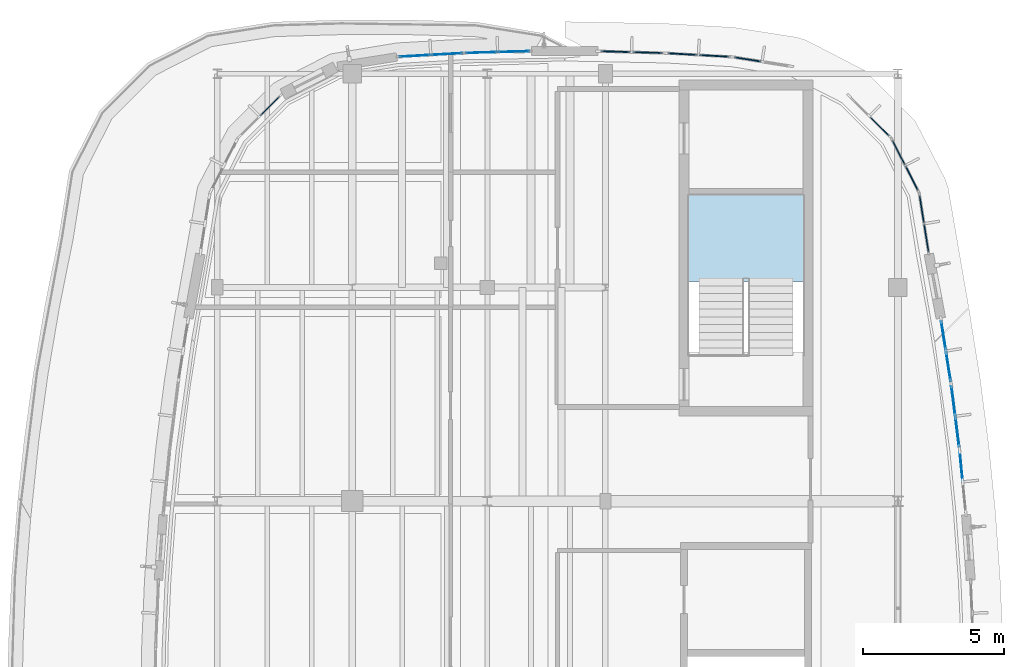
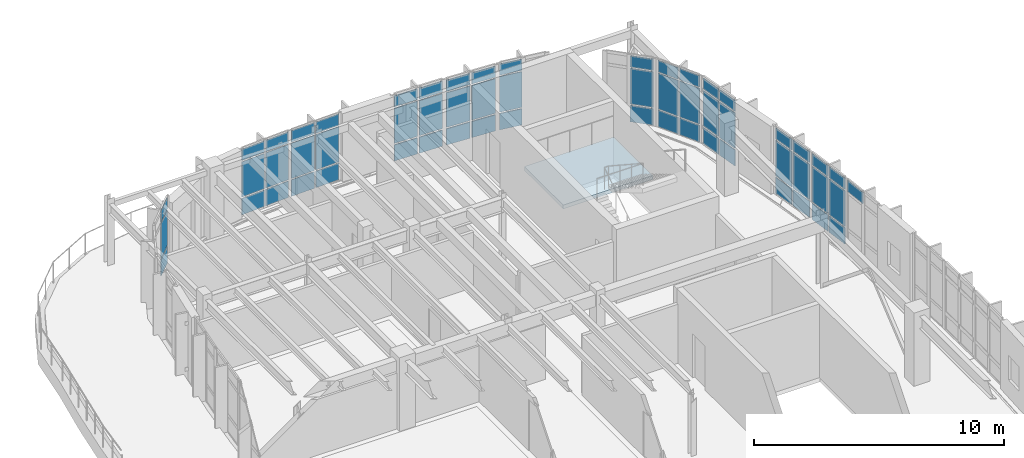
# One storey, part 21 of 30: 58 plates, 1 slab, 13 elements without a shape of their own.
"""IFC4 building model written with IfcOpenShell, lengths in metres."""

from ifc_helpers import new_model, si_unit, direction, frame, origin, origin_2d, place, context, subcontext, project, spatial, polyline, rectangle, outline, extrude, material, layer, layer_set, type_object, element, aggregate, save


model = new_model("IFC4")

# Units and contexts
model_context = context("Model", 3, precision=1e-05, world=origin(), true_north=direction((0.0, 1.0)))
body_context = subcontext(model_context, "Body", "Model", "MODEL_VIEW")
ifc_project = project(units=[si_unit("LENGTHUNIT", "METRE"), si_unit("AREAUNIT", "SQUARE_METRE"), si_unit("VOLUMEUNIT", "CUBIC_METRE"), si_unit("PLANEANGLEUNIT", "RADIAN"), si_unit("MASSUNIT", "GRAM", prefix="KILO")], contexts=[model_context])

# Site, building, storey
site_placement = place(None, origin())
site = spatial("IfcSite", under=ifc_project, at=site_placement, CompositionType="ELEMENT")
building_placement = place(site_placement, origin())
building = spatial("IfcBuilding", under=site, at=building_placement, Name="Corveleigh Park Community Centre", CompositionType="ELEMENT")
storey_placement = place(building_placement, frame((0.0, 0.0, 12.60009765625)))
storey = spatial("IfcBuildingStorey", under=building, at=storey_placement, Name="L03", CompositionType="ELEMENT", Elevation=12.60009765625)

# Curtain wall, plates
ifc_material_1 = material(Name="Anodised aluminium 6063-T6", Category="aluminium")
curtain_wall_type = type_object("IfcCurtainWallType", Name="CW-SYS-V4-L03", PredefinedType="NOTDEFINED", material=ifc_material_1)
curtain_wall_1_placement = place(storey_placement, origin())
curtain_wall_1 = element("IfcCurtainWall", 1, at=curtain_wall_1_placement, inside=storey, type_object=curtain_wall_type, Name="V4 L03 Curtain Wall 421", PredefinedType="NOTDEFINED")
ifc_material_2 = material(Name="Low-E double glazing", Category="glass")
ifc_layer_1 = layer(ifc_material_2, 0.02392578125, Name="Low-E double glazing", Category="glass")
ifc_layer_set_1 = layer_set([ifc_layer_1], Name="Low-E double glazing")
plate_type_1 = type_object("IfcPlateType", Name="CWP-GLZ-24", PredefinedType="CURTAIN_PANEL", material=ifc_layer_set_1)
plate_1_placement = place(storey_placement, frame((153.5927734375, 104.952392578125, 0.059814453125), z_axis=(0.0, 0.0, 1.0), x_axis=(0.999586199744, 0.028765070498, 0.0)))
plate_1 = element("IfcPlate", 2, at=plate_1_placement, type_object=plate_type_1, Name="CW09 panel 1.1", PredefinedType="CURTAIN_PANEL", context=body_context, shape_type="SweptSolid", body=[
    extrude(rectangle(XDim=1.092041015625, YDim=0.02392578125, at=origin_2d()), origin(), (0.0, 0.0, 1.0), 0.81005859375),
])
plate_2_placement = place(storey_placement, frame((153.5927734375, 104.952392578125, 0.929931640625), z_axis=(0.0, 0.0, 1.0), x_axis=(0.999586199744, 0.028765070498, 0.0)))
plate_2 = element("IfcPlate", 3, at=plate_2_placement, type_object=plate_type_1, Name="CW09 panel 1.2", PredefinedType="CURTAIN_PANEL", context=body_context, shape_type="SweptSolid", body=[
    extrude(rectangle(XDim=1.092041015625, YDim=0.02392578125, at=origin_2d()), origin(), (0.0, 0.0, 1.0), 1.72705078125),
])
plate_3_placement = place(storey_placement, frame((153.5927734375, 104.952392578125, 2.716796875), z_axis=(0.0, 0.0, 1.0), x_axis=(0.999586199744, 0.028765070498, 0.0)))
plate_3 = element("IfcPlate", 4, at=plate_3_placement, type_object=plate_type_1, Name="CW09 panel 1.3", PredefinedType="CURTAIN_PANEL", context=body_context, shape_type="SweptSolid", body=[
    extrude(rectangle(XDim=1.092041015625, YDim=0.02392578125, at=origin_2d()), origin(), (0.0, 0.0, 1.0), 0.56005859375),
])
plate_4_placement = place(storey_placement, frame((154.744140625, 104.985595703125, 0.059814453125), z_axis=(0.0, 0.0, 1.0), x_axis=(0.999586199744, 0.028765070498, 0.0)))
plate_4 = element("IfcPlate", 5, at=plate_4_placement, type_object=plate_type_1, Name="CW09 panel 2.1", PredefinedType="CURTAIN_PANEL", context=body_context, shape_type="SweptSolid", body=[
    extrude(rectangle(XDim=1.092041015625, YDim=0.02392578125, at=origin_2d()), origin(), (0.0, 0.0, 1.0), 0.81005859375),
])
plate_5_placement = place(storey_placement, frame((154.744140625, 104.985595703125, 0.929931640625), z_axis=(0.0, 0.0, 1.0), x_axis=(0.999586199744, 0.028765070498, 0.0)))
plate_5 = element("IfcPlate", 6, at=plate_5_placement, type_object=plate_type_1, Name="CW09 panel 2.2", PredefinedType="CURTAIN_PANEL", context=body_context, shape_type="SweptSolid", body=[
    extrude(rectangle(XDim=1.092041015625, YDim=0.02392578125, at=origin_2d()), origin(), (0.0, 0.0, 1.0), 1.72705078125),
])
plate_6_placement = place(storey_placement, frame((154.744140625, 104.985595703125, 2.716796875), z_axis=(0.0, 0.0, 1.0), x_axis=(0.999586199744, 0.028765070498, 0.0)))
plate_6 = element("IfcPlate", 7, at=plate_6_placement, type_object=plate_type_1, Name="CW09 panel 2.3", PredefinedType="CURTAIN_PANEL", context=body_context, shape_type="SweptSolid", body=[
    extrude(rectangle(XDim=1.092041015625, YDim=0.02392578125, at=origin_2d()), origin(), (0.0, 0.0, 1.0), 0.56005859375),
])
aggregate(curtain_wall_1, [plate_1, plate_2, plate_3, plate_4, plate_5, plate_6])

curtain_wall_2_placement = place(storey_placement, origin())
curtain_wall_2 = element("IfcCurtainWall", 8, at=curtain_wall_2_placement, inside=storey, type_object=curtain_wall_type, Name="V4 L03 Curtain Wall 422", PredefinedType="NOTDEFINED")
plate_7_placement = place(storey_placement, frame((151.220458984375, 104.835205078125, 0.06494140625), z_axis=(0.0, 0.0, 1.0), x_axis=(0.998406359706, 0.056433508651, 0.0)))
plate_7 = element("IfcPlate", 9, at=plate_7_placement, type_object=plate_type_1, Name="CW09 panel 1.1", PredefinedType="CURTAIN_PANEL", context=body_context, shape_type="SweptSolid", body=[
    extrude(rectangle(XDim=1.080810546875, YDim=0.02392578125, at=origin_2d()), origin(), (0.0, 0.0, 1.0), 0.802490234375),
])
plate_8_placement = place(storey_placement, frame((151.220458984375, 104.835205078125, 0.9326171875), z_axis=(0.0, 0.0, 1.0), x_axis=(0.998406359706, 0.056433508651, 0.0)))
plate_8 = element("IfcPlate", 10, at=plate_8_placement, type_object=plate_type_1, Name="CW09 panel 1.2", PredefinedType="CURTAIN_PANEL", context=body_context, shape_type="SweptSolid", body=[
    extrude(rectangle(XDim=1.080810546875, YDim=0.02392578125, at=origin_2d()), origin(), (0.0, 0.0, 1.0), 1.721923828125),
])
plate_9_placement = place(storey_placement, frame((151.220458984375, 104.835205078125, 2.71923828125), z_axis=(0.0, 0.0, 1.0), x_axis=(0.998406359706, 0.056433508651, 0.0)))
plate_9 = element("IfcPlate", 11, at=plate_9_placement, type_object=plate_type_1, Name="CW09 panel 1.3", PredefinedType="CURTAIN_PANEL", context=body_context, shape_type="SweptSolid", body=[
    extrude(rectangle(XDim=1.080810546875, YDim=0.02392578125, at=origin_2d()), origin(), (0.0, 0.0, 1.0), 0.552490234375),
])
plate_10_placement = place(storey_placement, frame((152.364501953125, 104.89990234375, 0.06494140625), z_axis=(0.0, 0.0, 1.0), x_axis=(0.998406359706, 0.056433508651, 0.0)))
plate_10 = element("IfcPlate", 12, at=plate_10_placement, type_object=plate_type_1, Name="CW09 panel 2.1", PredefinedType="CURTAIN_PANEL", context=body_context, shape_type="SweptSolid", body=[
    extrude(rectangle(XDim=1.080810546875, YDim=0.02392578125, at=origin_2d()), origin(), (0.0, 0.0, 1.0), 0.802490234375),
])
plate_11_placement = place(storey_placement, frame((152.364501953125, 104.89990234375, 0.9326171875), z_axis=(0.0, 0.0, 1.0), x_axis=(0.998406359706, 0.056433508651, 0.0)))
plate_11 = element("IfcPlate", 13, at=plate_11_placement, type_object=plate_type_1, Name="CW09 panel 2.2", PredefinedType="CURTAIN_PANEL", context=body_context, shape_type="SweptSolid", body=[
    extrude(rectangle(XDim=1.080810546875, YDim=0.02392578125, at=origin_2d()), origin(), (0.0, 0.0, 1.0), 1.721923828125),
])
plate_12_placement = place(storey_placement, frame((152.364501953125, 104.89990234375, 2.71923828125), z_axis=(0.0, 0.0, 1.0), x_axis=(0.998406359706, 0.056433508651, 0.0)))
plate_12 = element("IfcPlate", 14, at=plate_12_placement, type_object=plate_type_1, Name="CW09 panel 2.3", PredefinedType="CURTAIN_PANEL", context=body_context, shape_type="SweptSolid", body=[
    extrude(rectangle(XDim=1.080810546875, YDim=0.02392578125, at=origin_2d()), origin(), (0.0, 0.0, 1.0), 0.552490234375),
])
aggregate(curtain_wall_2, [plate_7, plate_8, plate_9, plate_10, plate_11, plate_12])

# Curtain wall, plate
curtain_wall_3_placement = place(storey_placement, origin())
curtain_wall_3 = element("IfcCurtainWall", 15, at=curtain_wall_3_placement, inside=storey, type_object=curtain_wall_type, Name="V4 L03 Curtain Wall 412", PredefinedType="NOTDEFINED")
ifc_layer_2 = layer(ifc_material_2, 0.028076171875, Name="Low-E double glazing", Category="glass")
ifc_layer_set_2 = layer_set([ifc_layer_2], Name="Low-E double glazing")
plate_type_2 = type_object("IfcPlateType", Name="CWP-GLZ-28", PredefinedType="CURTAIN_PANEL", material=ifc_layer_set_2)
plate_13_placement = place(storey_placement, frame((170.653564453125, 90.24951171875, 2.7392578125), z_axis=(0.0, 0.0, 1.0), x_axis=(0.09929092919, -0.995058446213, 0.0)))
plate_13 = element("IfcPlate", 16, at=plate_13_placement, type_object=plate_type_2, Name="CW09 panel 1.3", PredefinedType="CURTAIN_PANEL", context=body_context, shape_type="SweptSolid", body=[
    extrude(rectangle(XDim=1.05078125, YDim=0.028076171875, at=origin_2d()), origin(), (0.0, 0.0, 1.0), 0.552490234375),
])
aggregate(curtain_wall_3, [plate_13])

# Curtain wall, plates
curtain_wall_4_placement = place(storey_placement, origin())
curtain_wall_4 = element("IfcCurtainWall", 17, at=curtain_wall_4_placement, inside=storey, type_object=curtain_wall_type, Name="V4 L03 Curtain Wall 423", PredefinedType="NOTDEFINED")
plate_14_placement = place(storey_placement, frame((146.07275390625, 103.0498046875, 0.06982421875), z_axis=(0.0, 0.0, 1.0), x_axis=(0.707106781187, 0.707106781187, 0.0)))
plate_14 = element("IfcPlate", 18, at=plate_14_placement, type_object=plate_type_2, Name="CW09 panel 2.1", PredefinedType="CURTAIN_PANEL", context=body_context, shape_type="SweptSolid", body=[
    extrude(rectangle(XDim=0.9521484375, YDim=0.028076171875, at=origin_2d()), origin(), (0.0, 0.0, 1.0), 0.794921875),
])
plate_15_placement = place(storey_placement, frame((146.07275390625, 103.0498046875, 0.93505859375), z_axis=(0.0, 0.0, 1.0), x_axis=(0.707106781187, 0.707106781187, 0.0)))
plate_15 = element("IfcPlate", 19, at=plate_15_placement, type_object=plate_type_2, Name="CW09 panel 2.2", PredefinedType="CURTAIN_PANEL", context=body_context, shape_type="SweptSolid", body=[
    extrude(rectangle(XDim=0.9521484375, YDim=0.028076171875, at=origin_2d()), origin(), (0.0, 0.0, 1.0), 1.717041015625),
])
plate_16_placement = place(storey_placement, frame((146.07275390625, 103.0498046875, 2.721923828125), z_axis=(0.0, 0.0, 1.0), x_axis=(0.707106781187, 0.707106781187, 0.0)))
plate_16 = element("IfcPlate", 20, at=plate_16_placement, type_object=plate_type_2, Name="CW09 panel 2.3", PredefinedType="CURTAIN_PANEL", context=body_context, shape_type="SweptSolid", body=[
    extrude(rectangle(XDim=0.9521484375, YDim=0.028076171875, at=origin_2d()), origin(), (0.0, 0.0, 1.0), 0.544921875),
])
aggregate(curtain_wall_4, [plate_14, plate_15, plate_16])

curtain_wall_5_placement = place(storey_placement, origin())
curtain_wall_5 = element("IfcCurtainWall", 21, at=curtain_wall_5_placement, inside=storey, type_object=curtain_wall_type, Name="V4 L03 Curtain Wall 413", PredefinedType="NOTDEFINED")
ifc_layer_3 = layer(ifc_material_2, 0.031982421875, Name="Low-E double glazing", Category="glass")
ifc_layer_set_3 = layer_set([ifc_layer_3], Name="Low-E double glazing")
plate_type_3 = type_object("IfcPlateType", Name="CWP-GLZ-32", PredefinedType="CURTAIN_PANEL", material=ifc_layer_set_3)
plate_17_placement = place(storey_placement, frame((170.37255859375, 92.575439453125, 0.06982421875), z_axis=(0.0, 0.0, 1.0), x_axis=(0.127261927639, -0.991869145489, 0.0)))
plate_17 = element("IfcPlate", 22, at=plate_17_placement, type_object=plate_type_3, Name="CW09 panel 1.1", PredefinedType="CURTAIN_PANEL", context=body_context, shape_type="SweptSolid", body=[
    extrude(rectangle(XDim=1.04296875, YDim=0.031982421875, at=origin_2d()), origin(), (0.0, 0.0, 1.0), 0.794921875),
])
plate_18_placement = place(storey_placement, frame((170.37255859375, 92.575439453125, 0.93505859375), z_axis=(0.0, 0.0, 1.0), x_axis=(0.127261927639, -0.991869145489, 0.0)))
plate_18 = element("IfcPlate", 23, at=plate_18_placement, type_object=plate_type_3, Name="CW09 panel 1.2", PredefinedType="CURTAIN_PANEL", context=body_context, shape_type="SweptSolid", body=[
    extrude(rectangle(XDim=1.04296875, YDim=0.031982421875, at=origin_2d()), origin(), (0.0, 0.0, 1.0), 1.737060546875),
])
plate_19_placement = place(storey_placement, frame((170.37255859375, 92.575439453125, 2.741943359375), z_axis=(0.0, 0.0, 1.0), x_axis=(0.127261927639, -0.991869145489, 0.0)))
plate_19 = element("IfcPlate", 24, at=plate_19_placement, type_object=plate_type_3, Name="CW09 panel 1.3", PredefinedType="CURTAIN_PANEL", context=body_context, shape_type="SweptSolid", body=[
    extrude(rectangle(XDim=1.04296875, YDim=0.031982421875, at=origin_2d()), origin(), (0.0, 0.0, 1.0), 0.544921875),
])
plate_20_placement = place(storey_placement, frame((170.515380859375, 91.461669921875, 0.06982421875), z_axis=(0.0, 0.0, 1.0), x_axis=(0.127261927639, -0.991869145489, 0.0)))
plate_20 = element("IfcPlate", 25, at=plate_20_placement, type_object=plate_type_3, Name="CW09 panel 2.1", PredefinedType="CURTAIN_PANEL", context=body_context, shape_type="SweptSolid", body=[
    extrude(rectangle(XDim=1.04296875, YDim=0.031982421875, at=origin_2d()), origin(), (0.0, 0.0, 1.0), 0.794921875),
])
plate_21_placement = place(storey_placement, frame((170.515380859375, 91.461669921875, 0.93505859375), z_axis=(0.0, 0.0, 1.0), x_axis=(0.127261927639, -0.991869145489, 0.0)))
plate_21 = element("IfcPlate", 26, at=plate_21_placement, type_object=plate_type_3, Name="CW09 panel 2.2", PredefinedType="CURTAIN_PANEL", context=body_context, shape_type="SweptSolid", body=[
    extrude(rectangle(XDim=1.04296875, YDim=0.031982421875, at=origin_2d()), origin(), (0.0, 0.0, 1.0), 1.737060546875),
])
plate_22_placement = place(storey_placement, frame((170.515380859375, 91.461669921875, 2.741943359375), z_axis=(0.0, 0.0, 1.0), x_axis=(0.127261927639, -0.991869145489, 0.0)))
plate_22 = element("IfcPlate", 27, at=plate_22_placement, type_object=plate_type_3, Name="CW09 panel 2.3", PredefinedType="CURTAIN_PANEL", context=body_context, shape_type="SweptSolid", body=[
    extrude(rectangle(XDim=1.04296875, YDim=0.031982421875, at=origin_2d()), origin(), (0.0, 0.0, 1.0), 0.544921875),
])
aggregate(curtain_wall_5, [plate_17, plate_18, plate_19, plate_20, plate_21, plate_22])

curtain_wall_6_placement = place(storey_placement, origin())
curtain_wall_6 = element("IfcCurtainWall", 28, at=curtain_wall_6_placement, inside=storey, type_object=curtain_wall_type, Name="V4 L03 Curtain Wall 414", PredefinedType="NOTDEFINED")
plate_23_placement = place(storey_placement, frame((170.025146484375, 94.891845703125, 0.074951171875), z_axis=(0.0, 0.0, 1.0), x_axis=(0.156095062857, -0.987742036845, 0.0)))
plate_23 = element("IfcPlate", 29, at=plate_23_placement, type_object=plate_type_3, Name="CW09 panel 1.1", PredefinedType="CURTAIN_PANEL", context=body_context, shape_type="SweptSolid", body=[
    extrude(rectangle(XDim=1.03515625, YDim=0.031982421875, at=origin_2d()), origin(), (0.0, 0.0, 1.0), 0.78759765625),
])
plate_24_placement = place(storey_placement, frame((170.025146484375, 94.891845703125, 0.9375), z_axis=(0.0, 0.0, 1.0), x_axis=(0.156095062857, -0.987742036845, 0.0)))
plate_24 = element("IfcPlate", 30, at=plate_24_placement, type_object=plate_type_3, Name="CW09 panel 1.2", PredefinedType="CURTAIN_PANEL", context=body_context, shape_type="SweptSolid", body=[
    extrude(rectangle(XDim=1.03515625, YDim=0.031982421875, at=origin_2d()), origin(), (0.0, 0.0, 1.0), 1.73193359375),
])
plate_25_placement = place(storey_placement, frame((170.025146484375, 94.891845703125, 2.744384765625), z_axis=(0.0, 0.0, 1.0), x_axis=(0.156095062857, -0.987742036845, 0.0)))
plate_25 = element("IfcPlate", 31, at=plate_25_placement, type_object=plate_type_3, Name="CW09 panel 1.3", PredefinedType="CURTAIN_PANEL", context=body_context, shape_type="SweptSolid", body=[
    extrude(rectangle(XDim=1.03515625, YDim=0.031982421875, at=origin_2d()), origin(), (0.0, 0.0, 1.0), 0.53759765625),
])
plate_26_placement = place(storey_placement, frame((170.199951171875, 93.78515625, 0.074951171875), z_axis=(0.0, 0.0, 1.0), x_axis=(0.156095062857, -0.987742036845, 0.0)))
plate_26 = element("IfcPlate", 32, at=plate_26_placement, type_object=plate_type_3, Name="CW09 panel 2.1", PredefinedType="CURTAIN_PANEL", context=body_context, shape_type="SweptSolid", body=[
    extrude(rectangle(XDim=1.03515625, YDim=0.031982421875, at=origin_2d()), origin(), (0.0, 0.0, 1.0), 0.78759765625),
])
plate_27_placement = place(storey_placement, frame((170.199951171875, 93.78515625, 0.9375), z_axis=(0.0, 0.0, 1.0), x_axis=(0.156095062857, -0.987742036845, 0.0)))
plate_27 = element("IfcPlate", 33, at=plate_27_placement, type_object=plate_type_3, Name="CW09 panel 2.2", PredefinedType="CURTAIN_PANEL", context=body_context, shape_type="SweptSolid", body=[
    extrude(rectangle(XDim=1.03515625, YDim=0.031982421875, at=origin_2d()), origin(), (0.0, 0.0, 1.0), 1.73193359375),
])
plate_28_placement = place(storey_placement, frame((170.199951171875, 93.78515625, 2.744384765625), z_axis=(0.0, 0.0, 1.0), x_axis=(0.156095062857, -0.987742036845, 0.0)))
plate_28 = element("IfcPlate", 34, at=plate_28_placement, type_object=plate_type_3, Name="CW09 panel 2.3", PredefinedType="CURTAIN_PANEL", context=body_context, shape_type="SweptSolid", body=[
    extrude(rectangle(XDim=1.03515625, YDim=0.031982421875, at=origin_2d()), origin(), (0.0, 0.0, 1.0), 0.53759765625),
])
aggregate(curtain_wall_6, [plate_23, plate_24, plate_25, plate_26, plate_27, plate_28])

curtain_wall_7_placement = place(storey_placement, origin())
curtain_wall_7 = element("IfcCurtainWall", 35, at=curtain_wall_7_placement, inside=storey, type_object=curtain_wall_type, Name="V4 L03 Curtain Wall 415", PredefinedType="NOTDEFINED")
ifc_layer_4 = layer(ifc_material_2, 0.035888671875, Name="Low-E double glazing", Category="glass")
ifc_layer_set_4 = layer_set([ifc_layer_4], Name="Low-E double glazing")
plate_type_4 = type_object("IfcPlateType", Name="CWP-GLZ-36", PredefinedType="CURTAIN_PANEL", material=ifc_layer_set_4)
plate_29_placement = place(storey_placement, frame((169.249267578125, 99.381103515625, 0.080078125), z_axis=(0.0, 0.0, 1.0), x_axis=(0.15682535618, -0.987626350225, 0.0)))
plate_29 = element("IfcPlate", 36, at=plate_29_placement, type_object=plate_type_4, Name="CW09 panel 1.1", PredefinedType="CURTAIN_PANEL", context=body_context, shape_type="SweptSolid", body=[
    extrude(rectangle(XDim=0.981201171875, YDim=0.035888671875, at=origin_2d()), origin(), (0.0, 0.0, 1.0), 0.780029296875),
])
plate_30_placement = place(storey_placement, frame((169.249267578125, 99.381103515625, 0.93994140625), z_axis=(0.0, 0.0, 1.0), x_axis=(0.15682535618, -0.987626350225, 0.0)))
plate_30 = element("IfcPlate", 37, at=plate_30_placement, type_object=plate_type_4, Name="CW09 panel 1.2", PredefinedType="CURTAIN_PANEL", context=body_context, shape_type="SweptSolid", body=[
    extrude(rectangle(XDim=0.981201171875, YDim=0.035888671875, at=origin_2d()), origin(), (0.0, 0.0, 1.0), 1.72705078125),
])
plate_31_placement = place(storey_placement, frame((169.249267578125, 99.381103515625, 2.7470703125), z_axis=(0.0, 0.0, 1.0), x_axis=(0.15682535618, -0.987626350225, 0.0)))
plate_31 = element("IfcPlate", 38, at=plate_31_placement, type_object=plate_type_4, Name="CW09 panel 1.3", PredefinedType="CURTAIN_PANEL", context=body_context, shape_type="SweptSolid", body=[
    extrude(rectangle(XDim=0.981201171875, YDim=0.035888671875, at=origin_2d()), origin(), (0.0, 0.0, 1.0), 0.530029296875),
])
plate_32_placement = place(storey_placement, frame((169.41259765625, 98.352783203125, 0.080078125), z_axis=(0.0, 0.0, 1.0), x_axis=(0.15682535618, -0.987626350225, 0.0)))
plate_32 = element("IfcPlate", 39, at=plate_32_placement, type_object=plate_type_4, Name="CW09 panel 2.1", PredefinedType="CURTAIN_PANEL", context=body_context, shape_type="SweptSolid", body=[
    extrude(rectangle(XDim=0.981201171875, YDim=0.035888671875, at=origin_2d()), origin(), (0.0, 0.0, 1.0), 0.780029296875),
])
plate_33_placement = place(storey_placement, frame((169.41259765625, 98.352783203125, 0.93994140625), z_axis=(0.0, 0.0, 1.0), x_axis=(0.15682535618, -0.987626350225, 0.0)))
plate_33 = element("IfcPlate", 40, at=plate_33_placement, type_object=plate_type_4, Name="CW09 panel 2.2", PredefinedType="CURTAIN_PANEL", context=body_context, shape_type="SweptSolid", body=[
    extrude(rectangle(XDim=0.981201171875, YDim=0.035888671875, at=origin_2d()), origin(), (0.0, 0.0, 1.0), 1.72705078125),
])
plate_34_placement = place(storey_placement, frame((169.41259765625, 98.352783203125, 2.7470703125), z_axis=(0.0, 0.0, 1.0), x_axis=(0.15682535618, -0.987626350225, 0.0)))
plate_34 = element("IfcPlate", 41, at=plate_34_placement, type_object=plate_type_4, Name="CW09 panel 2.3", PredefinedType="CURTAIN_PANEL", context=body_context, shape_type="SweptSolid", body=[
    extrude(rectangle(XDim=0.981201171875, YDim=0.035888671875, at=origin_2d()), origin(), (0.0, 0.0, 1.0), 0.530029296875),
])
aggregate(curtain_wall_7, [plate_29, plate_30, plate_31, plate_32, plate_33, plate_34])

curtain_wall_8_placement = place(storey_placement, origin())
curtain_wall_8 = element("IfcCurtainWall", 42, at=curtain_wall_8_placement, inside=storey, type_object=curtain_wall_type, Name="V4 L03 Curtain Wall 416", PredefinedType="NOTDEFINED")
plate_35_placement = place(storey_placement, frame((168.427490234375, 101.394775390625, 0.059814453125), z_axis=(0.0, 0.0, 1.0), x_axis=(0.454202173945, -0.890898639119, 0.0)))
plate_35 = element("IfcPlate", 43, at=plate_35_placement, type_object=plate_type_4, Name="CW09 panel 1.1", PredefinedType="CURTAIN_PANEL", context=body_context, shape_type="SweptSolid", body=[
    extrude(rectangle(XDim=0.959228515625, YDim=0.035888671875, at=origin_2d()), origin(), (0.0, 0.0, 1.0), 0.81005859375),
])
plate_36_placement = place(storey_placement, frame((168.427490234375, 101.394775390625, 0.929931640625), z_axis=(0.0, 0.0, 1.0), x_axis=(0.454202173945, -0.890898639119, 0.0)))
plate_36 = element("IfcPlate", 44, at=plate_36_placement, type_object=plate_type_4, Name="CW09 panel 1.2", PredefinedType="CURTAIN_PANEL", context=body_context, shape_type="SweptSolid", body=[
    extrude(rectangle(XDim=0.959228515625, YDim=0.035888671875, at=origin_2d()), origin(), (0.0, 0.0, 1.0), 1.7470703125),
])
plate_37_placement = place(storey_placement, frame((168.427490234375, 101.394775390625, 2.73681640625), z_axis=(0.0, 0.0, 1.0), x_axis=(0.454202173945, -0.890898639119, 0.0)))
plate_37 = element("IfcPlate", 45, at=plate_37_placement, type_object=plate_type_4, Name="CW09 panel 1.3", PredefinedType="CURTAIN_PANEL", context=body_context, shape_type="SweptSolid", body=[
    extrude(rectangle(XDim=0.959228515625, YDim=0.035888671875, at=origin_2d()), origin(), (0.0, 0.0, 1.0), 0.56005859375),
])
plate_38_placement = place(storey_placement, frame((168.892578125, 100.482177734375, 0.059814453125), z_axis=(0.0, 0.0, 1.0), x_axis=(0.454202173945, -0.890898639119, 0.0)))
plate_38 = element("IfcPlate", 46, at=plate_38_placement, type_object=plate_type_4, Name="CW09 panel 2.1", PredefinedType="CURTAIN_PANEL", context=body_context, shape_type="SweptSolid", body=[
    extrude(rectangle(XDim=0.959228515625, YDim=0.035888671875, at=origin_2d()), origin(), (0.0, 0.0, 1.0), 0.81005859375),
])
plate_39_placement = place(storey_placement, frame((168.892578125, 100.482177734375, 0.929931640625), z_axis=(0.0, 0.0, 1.0), x_axis=(0.454202173945, -0.890898639119, 0.0)))
plate_39 = element("IfcPlate", 47, at=plate_39_placement, type_object=plate_type_4, Name="CW09 panel 2.2", PredefinedType="CURTAIN_PANEL", context=body_context, shape_type="SweptSolid", body=[
    extrude(rectangle(XDim=0.959228515625, YDim=0.035888671875, at=origin_2d()), origin(), (0.0, 0.0, 1.0), 1.7470703125),
])
plate_40_placement = place(storey_placement, frame((168.892578125, 100.482177734375, 2.73681640625), z_axis=(0.0, 0.0, 1.0), x_axis=(0.454202173945, -0.890898639119, 0.0)))
plate_40 = element("IfcPlate", 48, at=plate_40_placement, type_object=plate_type_4, Name="CW09 panel 2.3", PredefinedType="CURTAIN_PANEL", context=body_context, shape_type="SweptSolid", body=[
    extrude(rectangle(XDim=0.959228515625, YDim=0.035888671875, at=origin_2d()), origin(), (0.0, 0.0, 1.0), 0.56005859375),
])
aggregate(curtain_wall_8, [plate_35, plate_36, plate_37, plate_38, plate_39, plate_40])

curtain_wall_9_placement = place(storey_placement, origin())
curtain_wall_9 = element("IfcCurtainWall", 49, at=curtain_wall_9_placement, inside=storey, type_object=curtain_wall_type, Name="V4 L03 Curtain Wall 417", PredefinedType="NOTDEFINED")
ifc_layer_5 = layer(ifc_material_2, 0.0400390625, Name="Low-E double glazing", Category="glass")
ifc_layer_set_5 = layer_set([ifc_layer_5], Name="Low-E double glazing")
plate_type_5 = type_object("IfcPlateType", Name="CWP-GLZ-40", PredefinedType="CURTAIN_PANEL", material=ifc_layer_set_5)
plate_41_placement = place(storey_placement, frame((167.749755859375, 102.3271484375, 0.06494140625), z_axis=(0.0, 0.0, 1.0), x_axis=(0.707106781187, -0.707106781187, 0.0)))
plate_41 = element("IfcPlate", 50, at=plate_41_placement, type_object=plate_type_5, Name="CW09 panel 2.1", PredefinedType="CURTAIN_PANEL", context=body_context, shape_type="SweptSolid", body=[
    extrude(rectangle(XDim=0.9521484375, YDim=0.0400390625, at=origin_2d()), origin(), (0.0, 0.0, 1.0), 0.802490234375),
])
plate_42_placement = place(storey_placement, frame((167.749755859375, 102.3271484375, 0.9326171875), z_axis=(0.0, 0.0, 1.0), x_axis=(0.707106781187, -0.707106781187, 0.0)))
plate_42 = element("IfcPlate", 51, at=plate_42_placement, type_object=plate_type_5, Name="CW09 panel 2.2", PredefinedType="CURTAIN_PANEL", context=body_context, shape_type="SweptSolid", body=[
    extrude(rectangle(XDim=0.9521484375, YDim=0.0400390625, at=origin_2d()), origin(), (0.0, 0.0, 1.0), 1.741943359375),
])
plate_43_placement = place(storey_placement, frame((167.749755859375, 102.3271484375, 2.7392578125), z_axis=(0.0, 0.0, 1.0), x_axis=(0.707106781187, -0.707106781187, 0.0)))
plate_43 = element("IfcPlate", 52, at=plate_43_placement, type_object=plate_type_5, Name="CW09 panel 2.3", PredefinedType="CURTAIN_PANEL", context=body_context, shape_type="SweptSolid", body=[
    extrude(rectangle(XDim=0.9521484375, YDim=0.0400390625, at=origin_2d()), origin(), (0.0, 0.0, 1.0), 0.552490234375),
])
aggregate(curtain_wall_9, [plate_41, plate_42, plate_43])

curtain_wall_10_placement = place(storey_placement, origin())
curtain_wall_10 = element("IfcCurtainWall", 53, at=curtain_wall_10_placement, inside=storey, type_object=curtain_wall_type, Name="V4 L03 Curtain Wall 418", PredefinedType="NOTDEFINED")
plate_44_placement = place(storey_placement, frame((163.061767578125, 104.71044921875, 0.06982421875), z_axis=(0.0, 0.0, 1.0), x_axis=(0.987690712768, -0.156419486996, 0.0)))
plate_44 = element("IfcPlate", 54, at=plate_44_placement, type_object=plate_type_5, Name="CW09 panel 1.1", PredefinedType="CURTAIN_PANEL", context=body_context, shape_type="SweptSolid", body=[
    extrude(rectangle(XDim=0.955078125, YDim=0.0400390625, at=origin_2d()), origin(), (0.0, 0.0, 1.0), 0.794921875),
])
plate_45_placement = place(storey_placement, frame((163.061767578125, 104.71044921875, 0.93505859375), z_axis=(0.0, 0.0, 1.0), x_axis=(0.987690712768, -0.156419486996, 0.0)))
plate_45 = element("IfcPlate", 55, at=plate_45_placement, type_object=plate_type_5, Name="CW09 panel 1.2", PredefinedType="CURTAIN_PANEL", context=body_context, shape_type="SweptSolid", body=[
    extrude(rectangle(XDim=0.955078125, YDim=0.0400390625, at=origin_2d()), origin(), (0.0, 0.0, 1.0), 1.737060546875),
])
plate_46_placement = place(storey_placement, frame((163.061767578125, 104.71044921875, 2.741943359375), z_axis=(0.0, 0.0, 1.0), x_axis=(0.987690712768, -0.156419486996, 0.0)))
plate_46 = element("IfcPlate", 56, at=plate_46_placement, type_object=plate_type_5, Name="CW09 panel 1.3", PredefinedType="CURTAIN_PANEL", context=body_context, shape_type="SweptSolid", body=[
    extrude(rectangle(XDim=0.955078125, YDim=0.0400390625, at=origin_2d()), origin(), (0.0, 0.0, 1.0), 0.544921875),
])
aggregate(curtain_wall_10, [plate_44, plate_45, plate_46])

curtain_wall_11_placement = place(storey_placement, origin())
curtain_wall_11 = element("IfcCurtainWall", 57, at=curtain_wall_11_placement, inside=storey, type_object=curtain_wall_type, Name="V4 L03 Curtain Wall 419", PredefinedType="NOTDEFINED")
ifc_layer_6 = layer(ifc_material_2, 0.0439453125, Name="Low-E double glazing", Category="glass")
ifc_layer_set_6 = layer_set([ifc_layer_6], Name="Low-E double glazing")
plate_type_6 = type_object("IfcPlateType", Name="CWP-GLZ-44", PredefinedType="CURTAIN_PANEL", material=ifc_layer_set_6)
plate_47_placement = place(storey_placement, frame((160.7392578125, 104.899658203125, 0.074951171875), z_axis=(0.0, 0.0, 1.0), x_axis=(0.998406359706, -0.056433508651, 0.0)))
plate_47 = element("IfcPlate", 58, at=plate_47_placement, type_object=plate_type_6, Name="CW09 panel 1.1", PredefinedType="CURTAIN_PANEL", context=body_context, shape_type="SweptSolid", body=[
    extrude(rectangle(XDim=1.058349609375, YDim=0.0439453125, at=origin_2d()), origin(), (0.0, 0.0, 1.0), 0.78759765625),
])
plate_48_placement = place(storey_placement, frame((160.7392578125, 104.899658203125, 0.9375), z_axis=(0.0, 0.0, 1.0), x_axis=(0.998406359706, -0.056433508651, 0.0)))
plate_48 = element("IfcPlate", 59, at=plate_48_placement, type_object=plate_type_6, Name="CW09 panel 1.2", PredefinedType="CURTAIN_PANEL", context=body_context, shape_type="SweptSolid", body=[
    extrude(rectangle(XDim=1.058349609375, YDim=0.0439453125, at=origin_2d()), origin(), (0.0, 0.0, 1.0), 1.68701171875),
])
plate_49_placement = place(storey_placement, frame((160.7392578125, 104.899658203125, 2.699462890625), z_axis=(0.0, 0.0, 1.0), x_axis=(0.998406359706, -0.056433508651, 0.0)))
plate_49 = element("IfcPlate", 60, at=plate_49_placement, type_object=plate_type_6, Name="CW09 panel 1.3", PredefinedType="CURTAIN_PANEL", context=body_context, shape_type="SweptSolid", body=[
    extrude(rectangle(XDim=1.058349609375, YDim=0.0439453125, at=origin_2d()), origin(), (0.0, 0.0, 1.0), 0.53759765625),
])
plate_50_placement = place(storey_placement, frame((161.875732421875, 104.83544921875, 0.074951171875), z_axis=(0.0, 0.0, 1.0), x_axis=(0.998406359706, -0.056433508651, 0.0)))
plate_50 = element("IfcPlate", 61, at=plate_50_placement, type_object=plate_type_6, Name="CW09 panel 2.1", PredefinedType="CURTAIN_PANEL", context=body_context, shape_type="SweptSolid", body=[
    extrude(rectangle(XDim=1.058349609375, YDim=0.0439453125, at=origin_2d()), origin(), (0.0, 0.0, 1.0), 0.78759765625),
])
plate_51_placement = place(storey_placement, frame((161.875732421875, 104.83544921875, 0.9375), z_axis=(0.0, 0.0, 1.0), x_axis=(0.998406359706, -0.056433508651, 0.0)))
plate_51 = element("IfcPlate", 62, at=plate_51_placement, type_object=plate_type_6, Name="CW09 panel 2.2", PredefinedType="CURTAIN_PANEL", context=body_context, shape_type="SweptSolid", body=[
    extrude(rectangle(XDim=1.058349609375, YDim=0.0439453125, at=origin_2d()), origin(), (0.0, 0.0, 1.0), 1.68701171875),
])
plate_52_placement = place(storey_placement, frame((161.875732421875, 104.83544921875, 2.699462890625), z_axis=(0.0, 0.0, 1.0), x_axis=(0.998406359706, -0.056433508651, 0.0)))
plate_52 = element("IfcPlate", 63, at=plate_52_placement, type_object=plate_type_6, Name="CW09 panel 2.3", PredefinedType="CURTAIN_PANEL", context=body_context, shape_type="SweptSolid", body=[
    extrude(rectangle(XDim=1.058349609375, YDim=0.0439453125, at=origin_2d()), origin(), (0.0, 0.0, 1.0), 0.53759765625),
])
aggregate(curtain_wall_11, [plate_47, plate_48, plate_49, plate_50, plate_51, plate_52])

curtain_wall_12_placement = place(storey_placement, origin())
curtain_wall_12 = element("IfcCurtainWall", 64, at=curtain_wall_12_placement, inside=storey, type_object=curtain_wall_type, Name="V4 L03 Curtain Wall 420", PredefinedType="NOTDEFINED")
plate_53_placement = place(storey_placement, frame((158.362060546875, 104.9853515625, 0.080078125), z_axis=(0.0, 0.0, 1.0), x_axis=(0.999586199744, -0.028765070498, 0.0)))
plate_53 = element("IfcPlate", 65, at=plate_53_placement, type_object=plate_type_6, Name="CW09 panel 1.1", PredefinedType="CURTAIN_PANEL", context=body_context, shape_type="SweptSolid", body=[
    extrude(rectangle(XDim=1.054443359375, YDim=0.0439453125, at=origin_2d()), origin(), (0.0, 0.0, 1.0), 0.780029296875),
])
plate_54_placement = place(storey_placement, frame((158.362060546875, 104.9853515625, 0.93994140625), z_axis=(0.0, 0.0, 1.0), x_axis=(0.999586199744, -0.028765070498, 0.0)))
plate_54 = element("IfcPlate", 66, at=plate_54_placement, type_object=plate_type_6, Name="CW09 panel 1.2", PredefinedType="CURTAIN_PANEL", context=body_context, shape_type="SweptSolid", body=[
    extrude(rectangle(XDim=1.054443359375, YDim=0.0439453125, at=origin_2d()), origin(), (0.0, 0.0, 1.0), 1.70703125),
])
plate_55_placement = place(storey_placement, frame((158.362060546875, 104.9853515625, 2.72705078125), z_axis=(0.0, 0.0, 1.0), x_axis=(0.999586199744, -0.028765070498, 0.0)))
plate_55 = element("IfcPlate", 67, at=plate_55_placement, type_object=plate_type_6, Name="CW09 panel 1.3", PredefinedType="CURTAIN_PANEL", context=body_context, shape_type="SweptSolid", body=[
    extrude(rectangle(XDim=1.054443359375, YDim=0.0439453125, at=origin_2d()), origin(), (0.0, 0.0, 1.0), 0.530029296875),
])
plate_56_placement = place(storey_placement, frame((159.5009765625, 104.95263671875, 0.080078125), z_axis=(0.0, 0.0, 1.0), x_axis=(0.999586199744, -0.028765070498, 0.0)))
plate_56 = element("IfcPlate", 68, at=plate_56_placement, type_object=plate_type_6, Name="CW09 panel 2.1", PredefinedType="CURTAIN_PANEL", context=body_context, shape_type="SweptSolid", body=[
    extrude(rectangle(XDim=1.054443359375, YDim=0.0439453125, at=origin_2d()), origin(), (0.0, 0.0, 1.0), 0.780029296875),
])
plate_57_placement = place(storey_placement, frame((159.5009765625, 104.95263671875, 0.93994140625), z_axis=(0.0, 0.0, 1.0), x_axis=(0.999586199744, -0.028765070498, 0.0)))
plate_57 = element("IfcPlate", 69, at=plate_57_placement, type_object=plate_type_6, Name="CW09 panel 2.2", PredefinedType="CURTAIN_PANEL", context=body_context, shape_type="SweptSolid", body=[
    extrude(rectangle(XDim=1.054443359375, YDim=0.0439453125, at=origin_2d()), origin(), (0.0, 0.0, 1.0), 1.70703125),
])
plate_58_placement = place(storey_placement, frame((159.5009765625, 104.95263671875, 2.72705078125), z_axis=(0.0, 0.0, 1.0), x_axis=(0.999586199744, -0.028765070498, 0.0)))
plate_58 = element("IfcPlate", 70, at=plate_58_placement, type_object=plate_type_6, Name="CW09 panel 2.3", PredefinedType="CURTAIN_PANEL", context=body_context, shape_type="SweptSolid", body=[
    extrude(rectangle(XDim=1.054443359375, YDim=0.0439453125, at=origin_2d()), origin(), (0.0, 0.0, 1.0), 0.530029296875),
])
aggregate(curtain_wall_12, [plate_53, plate_54, plate_55, plate_56, plate_57, plate_58])

# Stair, slab
ifc_material_3 = material(Name="Concrete C32/40", Category="concrete")
stair_type = type_object("IfcStairType", Name="STR-HT-1600-360", PredefinedType="USERDEFINED", material=ifc_material_3)
stair_placement = place(storey_placement, origin())
stair = element("IfcStair", 71, at=stair_placement, inside=storey, type_object=stair_type, Name="Protected escape stair ST2 (L03 to L04)", ObjectType="TWO_RETURN_STAIR", PredefinedType="USERDEFINED")
ifc_layer_7 = layer(ifc_material_3, 0.18798828125, Name="Concrete C32/40", Category="concrete")
ifc_layer_set_7 = layer_set([ifc_layer_7], Name="Concrete C32/40")
slab_type = type_object("IfcSlabType", Name="SLB-LND-188", PredefinedType="LANDING", material=ifc_layer_set_7)
slab_placement = place(storey_placement, frame((0.0, 0.0, 1.61181640625)))
slab = element("IfcSlab", 72, at=slab_placement, type_object=slab_type, Name="ST2 half landing", PredefinedType="LANDING", context=body_context, shape_type="SweptSolid", body=[
    extrude(outline(polyline([(160.927001953125, 96.81005859375), (165.072998046875, 96.81005859375), (165.072998046875, 99.923095703125), (160.927001953125, 99.923095703125), (160.927001953125, 96.81005859375)])), origin(), (0.0, 0.0, 1.0), 0.18798828125),
])
aggregate(stair, [slab])

save(model, "model.ifc")
